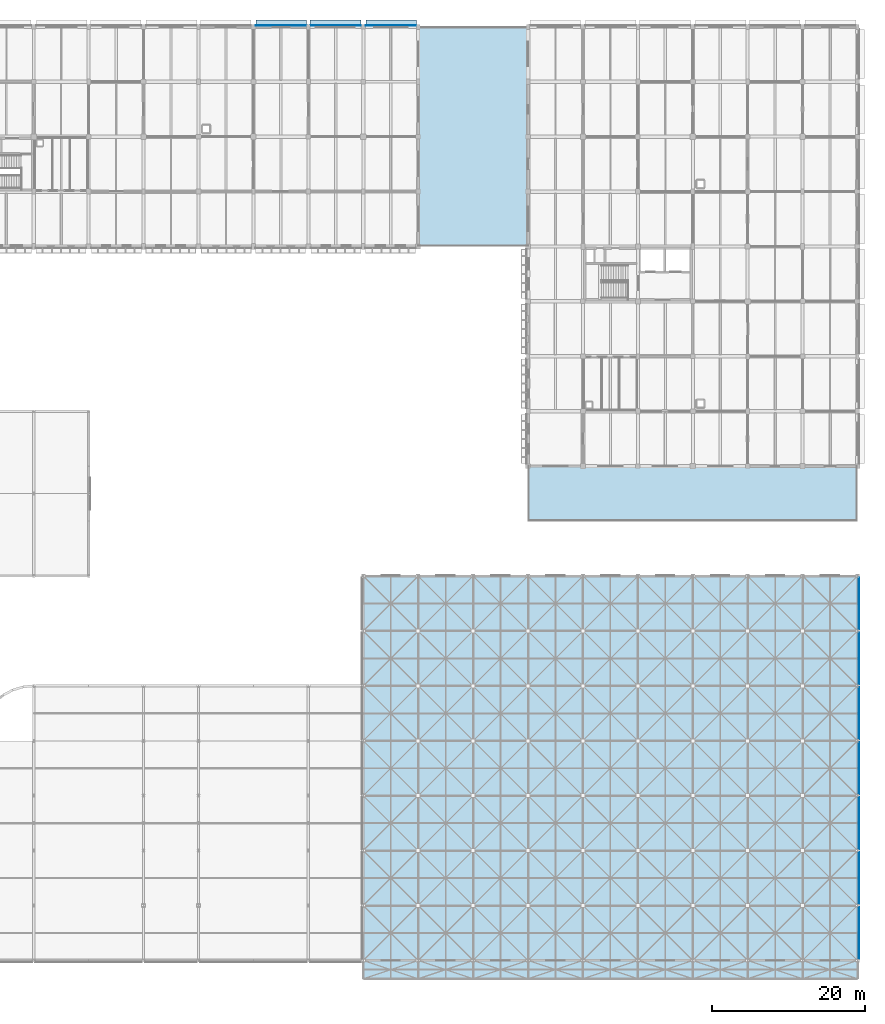
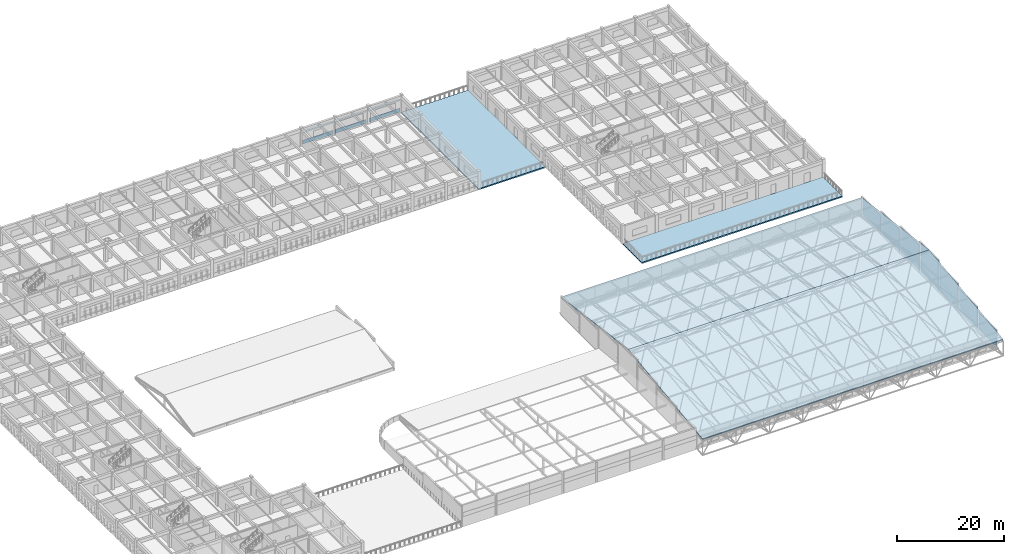
# One storey, part 76 of 103: 13 plates, 4 slabs, 1 element without a shape of its own.
"""IFC4 building model written with IfcOpenShell, lengths in metres."""

from ifc_helpers import new_model, si_unit, direction, frame, origin, origin_2d, place, context, subcontext, project, spatial, polyline, rectangle, outline, extrude, material, layer, layer_set, type_object, element, aggregate, save


model = new_model("IFC4")

# Units and contexts
model_context = context("Model", 3, precision=1e-05, world=origin(), true_north=direction((0.0, 1.0)))
body_context = subcontext(model_context, "Body", "Model", "MODEL_VIEW")
ifc_project = project(units=[si_unit("LENGTHUNIT", "METRE"), si_unit("AREAUNIT", "SQUARE_METRE"), si_unit("VOLUMEUNIT", "CUBIC_METRE"), si_unit("PLANEANGLEUNIT", "RADIAN"), si_unit("MASSUNIT", "GRAM", prefix="KILO")], contexts=[model_context])

# Site, building, storey
site_placement = place(None, origin())
site = spatial("IfcSite", under=ifc_project, at=site_placement, CompositionType="ELEMENT")
building_placement = place(site_placement, origin())
building = spatial("IfcBuilding", under=site, at=building_placement, Name="Thalmaran Polytechnic", CompositionType="ELEMENT")
storey_placement = place(building_placement, frame((0.0, 0.0, 14.39990234375)))
storey = spatial("IfcBuildingStorey", under=building, at=storey_placement, Name="L03", CompositionType="ELEMENT", Elevation=14.39990234375)

# Plates
ifc_material_1 = material(Name="Anodised aluminium spandrel band", Category="aluminium")
ifc_layer_1 = layer(ifc_material_1, 0.054931640625, Name="Anodised aluminium spandrel band")
ifc_layer_set_1 = layer_set([ifc_layer_1], Name="Anodised aluminium spandrel band")
plate_type_1 = type_object("IfcPlateType", Name="PT-BD01", PredefinedType="SHEET", material=ifc_layer_set_1)
plate_1_placement = place(storey_placement, frame((172.97998046875, 3.60009765625, 0.2802734375), z_axis=(0.0, 0.0, 1.0), x_axis=(1.0, 0.0, 0.0)))
element("IfcPlate", 1, at=plate_1_placement, inside=storey, type_object=plate_type_1, Name="Workshop Translucent Gable Clerestory Panel E-00", PredefinedType="SHEET", context=body_context, shape_type="SweptSolid", body=[
    extrude(rectangle(XDim=0.0400390625, YDim=6.780029296875, at=origin_2d()), origin(), (0.0, 0.0, 1.0), 3.843994140625),
])
plate_2_placement = place(storey_placement, frame((172.97998046875, 10.800048828125, 0.2802734375), z_axis=(0.0, 0.0, 1.0), x_axis=(1.0, 0.0, 0.0)))
element("IfcPlate", 2, at=plate_2_placement, inside=storey, type_object=plate_type_1, Name="Workshop Translucent Gable Clerestory Panel E-01", PredefinedType="SHEET", context=body_context, shape_type="SweptSolid", body=[
    extrude(rectangle(XDim=0.0400390625, YDim=6.780029296875, at=origin_2d()), origin(), (0.0, 0.0, 1.0), 4.791748046875),
])
plate_3_placement = place(storey_placement, frame((172.97998046875, 18.0, 0.280029296875), z_axis=(0.0, 0.0, 1.0), x_axis=(1.0, 0.0, 0.0)))
element("IfcPlate", 3, at=plate_3_placement, inside=storey, type_object=plate_type_1, Name="Workshop Translucent Gable Clerestory Panel E-02", PredefinedType="SHEET", context=body_context, shape_type="SweptSolid", body=[
    extrude(rectangle(XDim=0.0400390625, YDim=6.780029296875, at=origin_2d()), origin(), (0.0, 0.0, 1.0), 5.73974609375),
])
plate_4_placement = place(storey_placement, frame((172.97998046875, 25.199951171875, 0.280029296875), z_axis=(0.0, 0.0, 1.0), x_axis=(1.0, 0.0, 0.0)))
element("IfcPlate", 4, at=plate_4_placement, inside=storey, type_object=plate_type_1, Name="Workshop Translucent Gable Clerestory Panel E-03", PredefinedType="SHEET", context=body_context, shape_type="SweptSolid", body=[
    extrude(rectangle(XDim=0.0400390625, YDim=6.780029296875, at=origin_2d()), origin(), (0.0, 0.0, 1.0), 6.6875),
])
plate_5_placement = place(storey_placement, frame((172.97998046875, 32.39990234375, 0.280029296875), z_axis=(0.0, 0.0, 1.0), x_axis=(1.0, 0.0, 0.0)))
element("IfcPlate", 5, at=plate_5_placement, inside=storey, type_object=plate_type_1, Name="Workshop Translucent Gable Clerestory Panel E-04", PredefinedType="SHEET", context=body_context, shape_type="SweptSolid", body=[
    extrude(rectangle(XDim=0.0400390625, YDim=6.780029296875, at=origin_2d()), origin(), (0.0, 0.0, 1.0), 5.73974609375),
])
plate_6_placement = place(storey_placement, frame((172.97998046875, 39.60009765625, 0.2802734375), z_axis=(0.0, 0.0, 1.0), x_axis=(1.0, 0.0, 0.0)))
element("IfcPlate", 6, at=plate_6_placement, inside=storey, type_object=plate_type_1, Name="Workshop Translucent Gable Clerestory Panel E-05", PredefinedType="SHEET", context=body_context, shape_type="SweptSolid", body=[
    extrude(rectangle(XDim=0.0400390625, YDim=6.780029296875, at=origin_2d()), origin(), (0.0, 0.0, 1.0), 4.791748046875),
])
plate_7_placement = place(storey_placement, frame((172.97998046875, 46.800048828125, 0.2802734375), z_axis=(0.0, 0.0, 1.0), x_axis=(1.0, 0.0, 0.0)))
element("IfcPlate", 7, at=plate_7_placement, inside=storey, type_object=plate_type_1, Name="Workshop Translucent Gable Clerestory Panel E-06", PredefinedType="SHEET", context=body_context, shape_type="SweptSolid", body=[
    extrude(rectangle(XDim=0.0400390625, YDim=6.780029296875, at=origin_2d()), origin(), (0.0, 0.0, 1.0), 3.843994140625),
])
for number, where, z_axis, x_axis, name in (
    (8, (97.25, 122.570068359375, 0.020263671875), (0.0, 0.0, 1.0), (1.0, 0.0, 0.0), "Streamline Horizontal Spandrel Band L03-069"),
    (9, (104.35009765625, 122.570068359375, 0.020263671875), (0.0, 0.0, 1.0), (1.0, 0.0, 0.0), "Streamline Horizontal Spandrel Band L03-070"),
    (10, (111.64990234375, 122.570068359375, 0.020263671875), (0.0, 0.0, 1.0), (1.0, 0.0, 0.0), "Streamline Horizontal Spandrel Band L03-071"),
):
    element("IfcPlate", number, at=place(storey_placement, frame(where, z_axis=z_axis, x_axis=x_axis)), inside=storey, type_object=plate_type_1, Name=name, PredefinedType="SHEET", context=body_context, shape_type="SweptSolid", body=[
        extrude(rectangle(XDim=6.639892578125, YDim=0.054931640625, at=origin_2d()), origin(), (0.0, 0.0, 1.0), 0.8798828125),
    ])
ifc_material_2 = material(Name="Anodised aluminium sun-hood eyebrow", Category="aluminium")
ifc_layer_2 = layer(ifc_material_2, 0.0849609375, Name="Anodised aluminium sun-hood eyebrow")
ifc_layer_set_2 = layer_set([ifc_layer_2], Name="Anodised aluminium sun-hood eyebrow")
plate_type_2 = type_object("IfcPlateType", Name="PT-EB01", PredefinedType="SHEET", material=ifc_layer_set_2)
for number, where, z_axis, x_axis, name in (
    (11, (97.25, 122.9150390625, 2.517578125), (0.0, 0.0, 1.0), (1.0, 0.0, 0.0), "Streamline Sun-Hood Eyebrow L03-069"),
    (12, (104.35009765625, 122.9150390625, 2.517578125), (0.0, 0.0, 1.0), (1.0, 0.0, 0.0), "Streamline Sun-Hood Eyebrow L03-070"),
    (13, (111.64990234375, 122.9150390625, 2.517578125), (0.0, 0.0, 1.0), (1.0, 0.0, 0.0), "Streamline Sun-Hood Eyebrow L03-071"),
):
    element("IfcPlate", number, at=place(storey_placement, frame(where, z_axis=z_axis, x_axis=x_axis)), inside=storey, type_object=plate_type_2, Name=name, PredefinedType="SHEET", context=body_context, shape_type="SweptSolid", body=[
        extrude(rectangle(XDim=6.639892578125, YDim=0.760009765625, at=origin_2d()), origin(), (0.0, 0.0, 1.0), 0.0849609375),
    ])

# Roof, slabs
ifc_material_3 = material(Name="High-SRI standing-seam aluminium roofing", Category="aluminium")
ifc_layer_3 = layer(ifc_material_3, 0.239990234375, Name="High-SRI standing-seam aluminium roofing")
ifc_layer_set_3 = layer_set([ifc_layer_3], Name="High-SRI standing-seam aluminium roofing")
roof_type = type_object("IfcRoofType", Name="RF-GB01", PredefinedType="GABLE_ROOF", material=ifc_layer_set_3)
roof_placement = place(storey_placement, origin())
roof = element("IfcRoof", 14, at=roof_placement, inside=storey, type_object=roof_type, Name="Engineering Workshop Space-Frame Roof Assembly", PredefinedType="GABLE_ROOF")
ifc_material_4 = material(Name="Concrete C40/50", Category="concrete")
ifc_layer_4 = layer(ifc_material_4, 0.2548828125, Name="Concrete C40/50")
ifc_layer_set_4 = layer_set([ifc_layer_4], Name="Concrete C40/50")
slab_type_1 = type_object("IfcSlabType", Name="SL-RF01", PredefinedType="ROOF", material=ifc_layer_set_4)
slab_1_placement = place(storey_placement, frame((108.0, -2.39990234375, 3.774169921875), z_axis=(0.0, -0.130524612922, 0.991445069291), x_axis=(1.0, 0.0, 0.0)))
slab_1 = element("IfcSlab", 15, at=slab_1_placement, type_object=slab_type_1, Name="Workshop Space-Frame Pitched Roof South", PredefinedType="ROOF", context=body_context, shape_type="SweptSolid", body=[
    extrude(outline(polyline([(0.0, 0.0), (64.800048828125, 0.0), (64.800048828125, 27.838005725684468), (0.0, 27.838005725684468), (0.0, 0.0)])), origin(), (0.0, 0.0, -1.0), 0.2548828125),
])
slab_2_placement = place(storey_placement, frame((108.0, 25.199951171875, 7.40771484375), z_axis=(0.0, 0.130525822595, 0.991444910036), x_axis=(1.0, 0.0, 0.0)))
slab_2 = element("IfcSlab", 16, at=slab_2_placement, type_object=slab_type_1, Name="Workshop Space-Frame Pitched Roof North", PredefinedType="ROOF", context=body_context, shape_type="SweptSolid", body=[
    extrude(outline(polyline([(0.0, 0.0), (64.800048828125, 0.0), (64.800048828125, 25.417399309626187), (0.0, 25.417399309626187), (0.0, 0.0)])), origin(), (0.0, 0.0, -1.0), 0.2548828125),
])
aggregate(roof, [slab_1, slab_2])

# Slabs
ifc_layer_5 = layer(ifc_material_4, 0.284912109375, Name="Concrete C40/50")
ifc_layer_set_5 = layer_set([ifc_layer_5], Name="Concrete C40/50")
slab_type_2 = type_object("IfcSlabType", Name="SL-TR01", PredefinedType="FLOOR", material=ifc_layer_set_5)
slab_3_placement = place(storey_placement, frame((0.0, 0.0, -0.284912109375)))
element("IfcSlab", 17, at=slab_3_placement, inside=storey, type_object=slab_type_2, Name="V2 L03 Outdoor Terrace Slab", PredefinedType="FLOOR", context=body_context, shape_type="SweptSolid", body=[
    extrude(outline(polyline([(115.199951171875, 108.0), (115.199951171875, 115.199951171875), (115.199951171875, 122.39990234375), (122.39990234375, 122.39990234375), (129.60009765625, 122.39990234375), (129.60009765625, 115.199951171875), (129.60009765625, 108.0), (129.60009765625, 100.800048828125), (129.60009765625, 93.60009765625), (122.39990234375, 93.60009765625), (115.199951171875, 93.60009765625), (115.199951171875, 100.800048828125), (115.199951171875, 108.0)])), origin(), (0.0, 0.0, 1.0), 0.284912109375),
])
slab_4_placement = place(storey_placement, frame((0.0, 0.0, -0.284912109375)))
element("IfcSlab", 18, at=slab_4_placement, inside=storey, type_object=slab_type_2, Name="V5 L03 Outdoor Terrace Slab", PredefinedType="FLOOR", context=body_context, shape_type="SweptSolid", body=[
    extrude(outline(polyline([(129.60009765625, 64.800048828125), (136.800048828125, 64.800048828125), (144.0, 64.800048828125), (151.199951171875, 64.800048828125), (158.39990234375, 64.800048828125), (165.60009765625, 64.800048828125), (172.800048828125, 64.800048828125), (172.800048828125, 57.60009765625), (165.60009765625, 57.60009765625), (158.39990234375, 57.60009765625), (151.199951171875, 57.60009765625), (144.0, 57.60009765625), (136.800048828125, 57.60009765625), (129.60009765625, 57.60009765625), (129.60009765625, 64.800048828125)])), origin(), (0.0, 0.0, 1.0), 0.284912109375),
])

save(model, "model.ifc")
